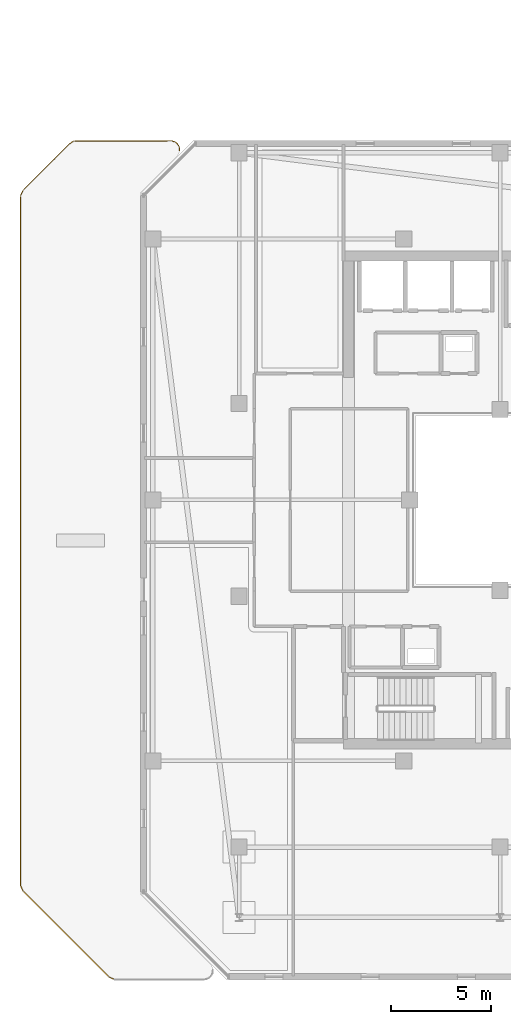
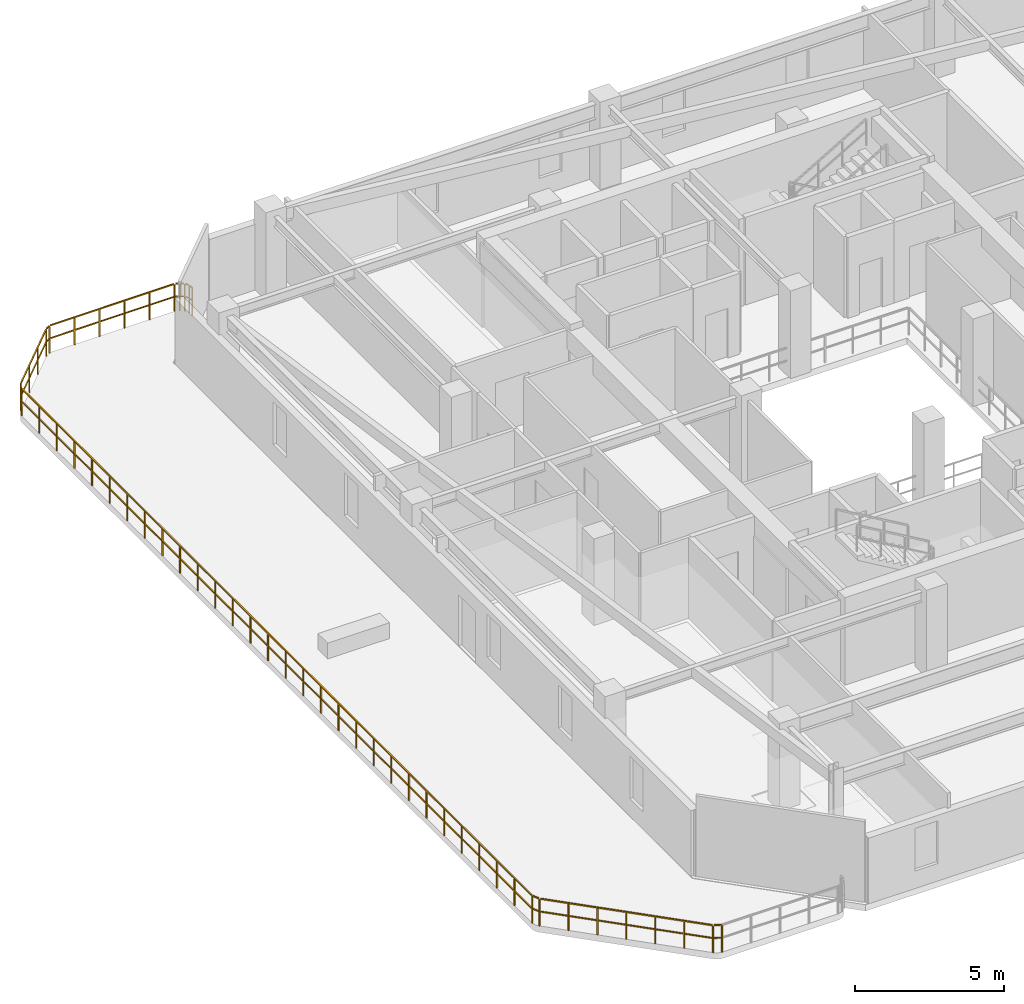
# One storey, part 28 of 31: 1 railing.
"""IFC4 building model written with IfcOpenShell, lengths in metres."""

from ifc_helpers import new_model, si_unit, direction, frame, origin, origin_2d, place, context, subcontext, project, spatial, rectangle, extrude, material, type_object, element, save


model = new_model("IFC4")

# Units and contexts
model_context = context("Model", 3, precision=1e-05, world=origin(), true_north=direction((0.0, 1.0)))
body_context = subcontext(model_context, "Body", "Model", "MODEL_VIEW")
ifc_project = project(units=[si_unit("LENGTHUNIT", "METRE"), si_unit("AREAUNIT", "SQUARE_METRE"), si_unit("VOLUMEUNIT", "CUBIC_METRE"), si_unit("PLANEANGLEUNIT", "RADIAN"), si_unit("MASSUNIT", "GRAM", prefix="KILO")], contexts=[model_context])

# Site, building, storey
site_placement = place(None, origin())
site = spatial("IfcSite", under=ifc_project, at=site_placement, CompositionType="ELEMENT")
building_placement = place(site_placement, origin())
building = spatial("IfcBuilding", under=site, at=building_placement, Name="Thornwick Lancets Civic Towers", CompositionType="ELEMENT")
storey_placement = place(building_placement, frame((0.0, 0.0, 254.699951171875)))
storey = spatial("IfcBuildingStorey", under=building, at=storey_placement, Name="L68", CompositionType="ELEMENT", Elevation=254.699951171875)

# Railing
ifc_material = material(Name="Terracotta-capped laminated glass balustrade S355", Category="masonry")
railing_type = type_object("IfcRailingType", Name="RAIL_TERR_GUARD", PredefinedType="GUARDRAIL", material=ifc_material)
railing_placement = place(storey_placement, frame((6.2802734375, 3.102294921875, 0.0)))
element("IfcRailing", 1, at=railing_placement, inside=storey, type_object=railing_type, Name="L68 Tower A Sky-Garden Guard 1 Part 1", PredefinedType="GUARDRAIL", context=body_context, shape_type="SweptSolid", body=[
    extrude(rectangle(XDim=0.048095703125, YDim=0.048095703125, at=origin_2d()), frame((0.0, 0.0, 1.1259765625), z_axis=(-0.904343633652, 0.426805098696, 0.0), x_axis=(-0.426805098696, -0.904343633652, 0.0)), (0.0, 0.0, 1.0), 0.27197265625),
    extrude(rectangle(XDim=0.0419921875, YDim=0.0419921875, at=origin_2d()), frame((-0.033935546875, 0.01611328125, 0.597900390625), z_axis=(-0.904343633652, 0.426805098696, 0.0), x_axis=(-0.426805098696, -0.904343633652, 0.0)), (0.0, 0.0, 1.0), 0.228271484375),
    extrude(rectangle(XDim=0.048095703125, YDim=0.048095703125, at=origin_2d()), frame((-0.29638671875, 0.151611328125, 1.1259765625), z_axis=(-0.707106781187, 0.707106781187, 0.0), x_axis=(-0.707106781187, -0.707106781187, 0.0)), (0.0, 0.0, 1.0), 5.982421875),
    extrude(rectangle(XDim=0.0419921875, YDim=0.0419921875, at=origin_2d()), frame((-0.30078125, 0.156005859375, 0.597900390625), z_axis=(-0.707106781187, 0.707106781187, 0.0), x_axis=(-0.707106781187, -0.707106781187, 0.0)), (0.0, 0.0, 1.0), 0.9326171875),
    extrude(rectangle(XDim=0.0419921875, YDim=0.0419921875, at=origin_2d()), frame((-1.01318359375, 0.868408203125, 0.597900390625), z_axis=(-0.707106781187, 0.707106781187, 0.0), x_axis=(-0.707106781187, -0.707106781187, 0.0)), (0.0, 0.0, 1.0), 0.9326171875),
    extrude(rectangle(XDim=0.0419921875, YDim=0.0419921875, at=origin_2d()), frame((-1.7255859375, 1.580810546875, 0.597900390625), z_axis=(-0.707106781187, 0.707106781187, 0.0), x_axis=(-0.707106781187, -0.707106781187, 0.0)), (0.0, 0.0, 1.0), 0.9326171875),
    extrude(rectangle(XDim=0.0419921875, YDim=0.0419921875, at=origin_2d()), frame((-2.43798828125, 2.293212890625, 0.597900390625), z_axis=(-0.707106781187, 0.707106781187, 0.0), x_axis=(-0.707106781187, -0.707106781187, 0.0)), (0.0, 0.0, 1.0), 0.9326171875),
    extrude(rectangle(XDim=0.0419921875, YDim=0.0419921875, at=origin_2d()), frame((-3.150390625, 3.005615234375, 0.597900390625), z_axis=(-0.707106781187, 0.707106781187, 0.0), x_axis=(-0.707106781187, -0.707106781187, 0.0)), (0.0, 0.0, 1.0), 0.9326171875),
    extrude(rectangle(XDim=0.0419921875, YDim=0.0419921875, at=origin_2d()), frame((-3.86279296875, 3.718017578125, 0.597900390625), z_axis=(-0.707106781187, 0.707106781187, 0.0), x_axis=(-0.707106781187, -0.707106781187, 0.0)), (0.0, 0.0, 1.0), 0.9326171875),
    extrude(rectangle(XDim=0.048095703125, YDim=0.048095703125, at=origin_2d()), frame((-4.56201171875, 4.43212890625, 1.1259765625), z_axis=(-0.426805098696, 0.904343633652, 0.0), x_axis=(-0.904343633652, -0.426805098696, 0.0)), (0.0, 0.0, 1.0), 0.24072265625),
    extrude(rectangle(XDim=0.0419921875, YDim=0.0419921875, at=origin_2d()), frame((-4.564697265625, 4.437744140625, 0.597900390625), z_axis=(-0.426805098696, 0.904343633652, 0.0), x_axis=(-0.904343633652, -0.426805098696, 0.0)), (0.0, 0.0, 1.0), 0.228271484375),
    extrude(rectangle(XDim=0.048095703125, YDim=0.048095703125, at=origin_2d()), frame((-4.677978515625, 4.709228515625, 1.1259765625), z_axis=(0.0, 1.0, 0.0), x_axis=(-1.0, 0.0, 0.0)), (0.0, 0.0, 1.0), 34.31494140625),
    extrude(rectangle(XDim=0.0419921875, YDim=0.0419921875, at=origin_2d()), frame((-4.677978515625, 4.715576171875, 0.597900390625), z_axis=(0.0, 1.0, 0.0), x_axis=(-1.0, 0.0, 0.0)), (0.0, 0.0, 1.0), 1.1103515625),
    extrude(rectangle(XDim=0.0419921875, YDim=0.0419921875, at=origin_2d()), frame((-4.677978515625, 5.90087890625, 0.597900390625), z_axis=(0.0, 1.0, 0.0), x_axis=(-1.0, 0.0, 0.0)), (0.0, 0.0, 1.0), 1.1103515625),
    extrude(rectangle(XDim=0.0419921875, YDim=0.0419921875, at=origin_2d()), frame((-4.677978515625, 7.08642578125, 0.597900390625), z_axis=(0.0, 1.0, 0.0), x_axis=(-1.0, 0.0, 0.0)), (0.0, 0.0, 1.0), 1.1103515625),
    extrude(rectangle(XDim=0.0419921875, YDim=0.0419921875, at=origin_2d()), frame((-4.677978515625, 8.271728515625, 0.597900390625), z_axis=(0.0, 1.0, 0.0), x_axis=(-1.0, 0.0, 0.0)), (0.0, 0.0, 1.0), 1.1103515625),
    extrude(rectangle(XDim=0.0419921875, YDim=0.0419921875, at=origin_2d()), frame((-4.677978515625, 9.457275390625, 0.597900390625), z_axis=(0.0, 1.0, 0.0), x_axis=(-1.0, 0.0, 0.0)), (0.0, 0.0, 1.0), 1.1103515625),
    extrude(rectangle(XDim=0.0419921875, YDim=0.0419921875, at=origin_2d()), frame((-4.677978515625, 10.642578125, 0.597900390625), z_axis=(0.0, 1.0, 0.0), x_axis=(-1.0, 0.0, 0.0)), (0.0, 0.0, 1.0), 1.1103515625),
    extrude(rectangle(XDim=0.0419921875, YDim=0.0419921875, at=origin_2d()), frame((-4.677978515625, 11.828125, 0.597900390625), z_axis=(0.0, 1.0, 0.0), x_axis=(-1.0, 0.0, 0.0)), (0.0, 0.0, 1.0), 1.1103515625),
    extrude(rectangle(XDim=0.0419921875, YDim=0.0419921875, at=origin_2d()), frame((-4.677978515625, 13.013427734375, 0.597900390625), z_axis=(0.0, 1.0, 0.0), x_axis=(-1.0, 0.0, 0.0)), (0.0, 0.0, 1.0), 1.1103515625),
    extrude(rectangle(XDim=0.0419921875, YDim=0.0419921875, at=origin_2d()), frame((-4.677978515625, 14.198974609375, 0.597900390625), z_axis=(0.0, 1.0, 0.0), x_axis=(-1.0, 0.0, 0.0)), (0.0, 0.0, 1.0), 1.1103515625),
    extrude(rectangle(XDim=0.0419921875, YDim=0.0419921875, at=origin_2d()), frame((-4.677978515625, 15.38427734375, 0.597900390625), z_axis=(0.0, 1.0, 0.0), x_axis=(-1.0, 0.0, 0.0)), (0.0, 0.0, 1.0), 1.1103515625),
    extrude(rectangle(XDim=0.0419921875, YDim=0.0419921875, at=origin_2d()), frame((-4.677978515625, 16.56982421875, 0.597900390625), z_axis=(0.0, 1.0, 0.0), x_axis=(-1.0, 0.0, 0.0)), (0.0, 0.0, 1.0), 1.1103515625),
    extrude(rectangle(XDim=0.0419921875, YDim=0.0419921875, at=origin_2d()), frame((-4.677978515625, 17.755126953125, 0.597900390625), z_axis=(0.0, 1.0, 0.0), x_axis=(-1.0, 0.0, 0.0)), (0.0, 0.0, 1.0), 1.1103515625),
    extrude(rectangle(XDim=0.0419921875, YDim=0.0419921875, at=origin_2d()), frame((-4.677978515625, 18.940673828125, 0.597900390625), z_axis=(0.0, 1.0, 0.0), x_axis=(-1.0, 0.0, 0.0)), (0.0, 0.0, 1.0), 1.1103515625),
    extrude(rectangle(XDim=0.0419921875, YDim=0.0419921875, at=origin_2d()), frame((-4.677978515625, 20.1259765625, 0.597900390625), z_axis=(0.0, 1.0, 0.0), x_axis=(-1.0, 0.0, 0.0)), (0.0, 0.0, 1.0), 1.1103515625),
    extrude(rectangle(XDim=0.0419921875, YDim=0.0419921875, at=origin_2d()), frame((-4.677978515625, 21.3115234375, 0.597900390625), z_axis=(0.0, 1.0, 0.0), x_axis=(-1.0, 0.0, 0.0)), (0.0, 0.0, 1.0), 1.1103515625),
    extrude(rectangle(XDim=0.0419921875, YDim=0.0419921875, at=origin_2d()), frame((-4.677978515625, 22.496826171875, 0.597900390625), z_axis=(0.0, 1.0, 0.0), x_axis=(-1.0, 0.0, 0.0)), (0.0, 0.0, 1.0), 1.1103515625),
    extrude(rectangle(XDim=0.0419921875, YDim=0.0419921875, at=origin_2d()), frame((-4.677978515625, 23.682373046875, 0.597900390625), z_axis=(0.0, 1.0, 0.0), x_axis=(-1.0, 0.0, 0.0)), (0.0, 0.0, 1.0), 1.1103515625),
    extrude(rectangle(XDim=0.0419921875, YDim=0.0419921875, at=origin_2d()), frame((-4.677978515625, 24.86767578125, 0.597900390625), z_axis=(0.0, 1.0, 0.0), x_axis=(-1.0, 0.0, 0.0)), (0.0, 0.0, 1.0), 1.1103515625),
    extrude(rectangle(XDim=0.0419921875, YDim=0.0419921875, at=origin_2d()), frame((-4.677978515625, 26.05322265625, 0.597900390625), z_axis=(0.0, 1.0, 0.0), x_axis=(-1.0, 0.0, 0.0)), (0.0, 0.0, 1.0), 1.1103515625),
    extrude(rectangle(XDim=0.0419921875, YDim=0.0419921875, at=origin_2d()), frame((-4.677978515625, 27.238525390625, 0.597900390625), z_axis=(0.0, 1.0, 0.0), x_axis=(-1.0, 0.0, 0.0)), (0.0, 0.0, 1.0), 1.1103515625),
    extrude(rectangle(XDim=0.0419921875, YDim=0.0419921875, at=origin_2d()), frame((-4.677978515625, 28.424072265625, 0.597900390625), z_axis=(0.0, 1.0, 0.0), x_axis=(-1.0, 0.0, 0.0)), (0.0, 0.0, 1.0), 1.1103515625),
    extrude(rectangle(XDim=0.0419921875, YDim=0.0419921875, at=origin_2d()), frame((-4.677978515625, 29.609375, 0.597900390625), z_axis=(0.0, 1.0, 0.0), x_axis=(-1.0, 0.0, 0.0)), (0.0, 0.0, 1.0), 1.1103515625),
    extrude(rectangle(XDim=0.0419921875, YDim=0.0419921875, at=origin_2d()), frame((-4.677978515625, 30.794921875, 0.597900390625), z_axis=(0.0, 1.0, 0.0), x_axis=(-1.0, 0.0, 0.0)), (0.0, 0.0, 1.0), 1.1103515625),
    extrude(rectangle(XDim=0.0419921875, YDim=0.0419921875, at=origin_2d()), frame((-4.677978515625, 31.980224609375, 0.597900390625), z_axis=(0.0, 1.0, 0.0), x_axis=(-1.0, 0.0, 0.0)), (0.0, 0.0, 1.0), 1.1103515625),
    extrude(rectangle(XDim=0.0419921875, YDim=0.0419921875, at=origin_2d()), frame((-4.677978515625, 33.165771484375, 0.597900390625), z_axis=(0.0, 1.0, 0.0), x_axis=(-1.0, 0.0, 0.0)), (0.0, 0.0, 1.0), 1.1103515625),
    extrude(rectangle(XDim=0.0419921875, YDim=0.0419921875, at=origin_2d()), frame((-4.677978515625, 34.351318359375, 0.597900390625), z_axis=(0.0, 1.0, 0.0), x_axis=(-1.0, 0.0, 0.0)), (0.0, 0.0, 1.0), 1.1103515625),
    extrude(rectangle(XDim=0.0419921875, YDim=0.0419921875, at=origin_2d()), frame((-4.677978515625, 35.53662109375, 0.597900390625), z_axis=(0.0, 1.0, 0.0), x_axis=(-1.0, 0.0, 0.0)), (0.0, 0.0, 1.0), 1.1103515625),
    extrude(rectangle(XDim=0.0419921875, YDim=0.0419921875, at=origin_2d()), frame((-4.677978515625, 36.72216796875, 0.597900390625), z_axis=(0.0, 1.0, 0.0), x_axis=(-1.0, 0.0, 0.0)), (0.0, 0.0, 1.0), 1.1103515625),
    extrude(rectangle(XDim=0.0419921875, YDim=0.0419921875, at=origin_2d()), frame((-4.677978515625, 37.907470703125, 0.597900390625), z_axis=(0.0, 1.0, 0.0), x_axis=(-1.0, 0.0, 0.0)), (0.0, 0.0, 1.0), 1.1103515625),
    extrude(rectangle(XDim=0.048095703125, YDim=0.048095703125, at=origin_2d()), frame((-4.66455078125, 39.083740234375, 1.1259765625), z_axis=(0.426805098696, 0.904343633652, 0.0), x_axis=(-0.904343633652, 0.426805098696, 0.0)), (0.0, 0.0, 1.0), 0.24072265625),
    extrude(rectangle(XDim=0.0419921875, YDim=0.0419921875, at=origin_2d()), frame((-4.661865234375, 39.08935546875, 0.597900390625), z_axis=(0.426805098696, 0.904343633652, 0.0), x_axis=(-0.904343633652, 0.426805098696, 0.0)), (0.0, 0.0, 1.0), 0.228271484375),
    extrude(rectangle(XDim=0.048095703125, YDim=0.048095703125, at=origin_2d()), frame((-4.5263671875, 39.351806640625, 1.1259765625), z_axis=(0.707106781187, 0.707106781187, 0.0), x_axis=(-0.707106781187, 0.707106781187, 0.0)), (0.0, 0.0, 1.0), 3.24169921875),
    extrude(rectangle(XDim=0.0419921875, YDim=0.0419921875, at=origin_2d()), frame((-4.52197265625, 39.356201171875, 0.597900390625), z_axis=(0.707106781187, 0.707106781187, 0.0), x_axis=(-0.707106781187, 0.707106781187, 0.0)), (0.0, 0.0, 1.0), 1.0263671875),
    extrude(rectangle(XDim=0.0419921875, YDim=0.0419921875, at=origin_2d()), frame((-3.7431640625, 40.135009765625, 0.597900390625), z_axis=(0.707106781187, 0.707106781187, 0.0), x_axis=(-0.707106781187, 0.707106781187, 0.0)), (0.0, 0.0, 1.0), 1.0263671875),
    extrude(rectangle(XDim=0.0419921875, YDim=0.0419921875, at=origin_2d()), frame((-2.96435546875, 40.913818359375, 0.597900390625), z_axis=(0.707106781187, 0.707106781187, 0.0), x_axis=(-0.707106781187, 0.707106781187, 0.0)), (0.0, 0.0, 1.0), 1.0263671875),
    extrude(rectangle(XDim=0.048095703125, YDim=0.048095703125, at=origin_2d()), frame((-2.185302734375, 41.68212890625, 1.1259765625), z_axis=(0.858181432178, 0.513346500392, 0.0), x_axis=(-0.513346500392, 0.858181432178, 0.0)), (0.0, 0.0, 1.0), 0.15625),
    extrude(rectangle(XDim=0.0419921875, YDim=0.0419921875, at=origin_2d()), frame((-2.179931640625, 41.685302734375, 0.597900390625), z_axis=(0.858181432178, 0.513346500392, 0.0), x_axis=(-0.513346500392, 0.858181432178, 0.0)), (0.0, 0.0, 1.0), 0.143798828125),
    extrude(rectangle(XDim=0.048095703125, YDim=0.048095703125, at=origin_2d()), frame((-1.9931640625, 41.7783203125, 1.1259765625), z_axis=(0.999993851715, 0.003506641099, 0.0), x_axis=(-0.003506641099, 0.999993851715, 0.0)), (0.0, 0.0, 1.0), 4.81103515625),
    extrude(rectangle(XDim=0.0419921875, YDim=0.0419921875, at=origin_2d()), frame((-1.98681640625, 41.778564453125, 0.597900390625), z_axis=(0.999993851715, 0.003506641099, 0.0), x_axis=(-0.003506641099, 0.999993851715, 0.0)), (0.0, 0.0, 1.0), 0.899658203125),
    extrude(rectangle(XDim=0.0419921875, YDim=0.0419921875, at=origin_2d()), frame((-1.01220703125, 41.781982421875, 0.597900390625), z_axis=(0.999993851715, 0.003506641099, 0.0), x_axis=(-0.003506641099, 0.999993851715, 0.0)), (0.0, 0.0, 1.0), 0.899658203125),
    extrude(rectangle(XDim=0.0419921875, YDim=0.0419921875, at=origin_2d()), frame((-0.03759765625, 41.785400390625, 0.597900390625), z_axis=(0.999993851715, 0.003506641099, 0.0), x_axis=(-0.003506641099, 0.999993851715, 0.0)), (0.0, 0.0, 1.0), 0.899658203125),
    extrude(rectangle(XDim=0.0419921875, YDim=0.0419921875, at=origin_2d()), frame((0.937255859375, 41.788818359375, 0.597900390625), z_axis=(0.999993851715, 0.003506641099, 0.0), x_axis=(-0.003506641099, 0.999993851715, 0.0)), (0.0, 0.0, 1.0), 0.899658203125),
    extrude(rectangle(XDim=0.0419921875, YDim=0.0419921875, at=origin_2d()), frame((1.911865234375, 41.792236328125, 0.597900390625), z_axis=(0.999993851715, 0.003506641099, 0.0), x_axis=(-0.003506641099, 0.999993851715, 0.0)), (0.0, 0.0, 1.0), 0.899658203125),
    extrude(rectangle(XDim=0.048095703125, YDim=0.048095703125, at=origin_2d()), frame((2.879150390625, 41.786376953125, 1.1259765625), z_axis=(0.957211427299, -0.289389501276, 0.0), x_axis=(0.289389501276, 0.957211427299, 0.0)), (0.0, 0.0, 1.0), 0.113037109375),
    extrude(rectangle(XDim=0.0419921875, YDim=0.0419921875, at=origin_2d()), frame((2.885009765625, 41.78466796875, 0.597900390625), z_axis=(0.957211427299, -0.289389501276, 0.0), x_axis=(0.289389501276, 0.957211427299, 0.0)), (0.0, 0.0, 1.0), 0.1005859375),
    extrude(rectangle(XDim=0.048095703125, YDim=0.048095703125, at=origin_2d()), frame((3.041259765625, 41.724853515625, 1.1259765625), z_axis=(0.773213238462, -0.634146109242, 0.0), x_axis=(0.634146109242, 0.773213238462, 0.0)), (0.0, 0.0, 1.0), 0.113037109375),
    extrude(rectangle(XDim=0.0419921875, YDim=0.0419921875, at=origin_2d()), frame((3.046142578125, 41.720947265625, 0.597900390625), z_axis=(0.773213238462, -0.634146109242, 0.0), x_axis=(0.634146109242, 0.773213238462, 0.0)), (0.0, 0.0, 1.0), 0.1005859375),
    extrude(rectangle(XDim=0.048095703125, YDim=0.048095703125, at=origin_2d()), frame((3.16748046875, 41.605712890625, 1.1259765625), z_axis=(0.470948722639, -0.882160586654, 0.0), x_axis=(0.882160586654, 0.470948722639, 0.0)), (0.0, 0.0, 1.0), 0.11328125),
    extrude(rectangle(XDim=0.0419921875, YDim=0.0419921875, at=origin_2d()), frame((3.17041015625, 41.600341796875, 0.597900390625), z_axis=(0.470948722639, -0.882160586654, 0.0), x_axis=(0.882160586654, 0.470948722639, 0.0)), (0.0, 0.0, 1.0), 0.100830078125),
    extrude(rectangle(XDim=0.048095703125, YDim=0.048095703125, at=origin_2d()), frame((3.238525390625, 41.447265625, 1.1259765625), z_axis=(0.094101126617, -0.99556264392, 0.0), x_axis=(0.99556264392, 0.094101126617, 0.0)), (0.0, 0.0, 1.0), 0.147705078125),
    extrude(rectangle(XDim=0.0419921875, YDim=0.0419921875, at=origin_2d()), frame((3.239013671875, 41.44091796875, 0.597900390625), z_axis=(0.094101126617, -0.99556264392, 0.0), x_axis=(0.99556264392, 0.094101126617, 0.0)), (0.0, 0.0, 1.0), 0.10400390625),
    extrude(rectangle(XDim=0.0419921875, YDim=0.0419921875, at=origin_2d()), origin(), (0.0, 0.0, 1.0), 1.095703125),
    extrude(rectangle(XDim=0.0419921875, YDim=0.0419921875, at=origin_2d()), frame((-0.274169921875, 0.12939453125, 0.0)), (0.0, 0.0, 1.0), 1.095703125),
    extrude(rectangle(XDim=0.0419921875, YDim=0.0419921875, at=origin_2d()), frame((-0.986572265625, 0.841796875, 0.0)), (0.0, 0.0, 1.0), 1.095703125),
    extrude(rectangle(XDim=0.0419921875, YDim=0.0419921875, at=origin_2d()), frame((-1.698974609375, 1.55419921875, 0.0)), (0.0, 0.0, 1.0), 1.095703125),
    extrude(rectangle(XDim=0.0419921875, YDim=0.0419921875, at=origin_2d()), frame((-2.411376953125, 2.2666015625, 0.0)), (0.0, 0.0, 1.0), 1.095703125),
    extrude(rectangle(XDim=0.0419921875, YDim=0.0419921875, at=origin_2d()), frame((-3.123779296875, 2.97900390625, 0.0)), (0.0, 0.0, 1.0), 1.095703125),
    extrude(rectangle(XDim=0.0419921875, YDim=0.0419921875, at=origin_2d()), frame((-3.836181640625, 3.69140625, 0.0)), (0.0, 0.0, 1.0), 1.095703125),
    extrude(rectangle(XDim=0.0419921875, YDim=0.0419921875, at=origin_2d()), frame((-4.548583984375, 4.40380859375, 0.0)), (0.0, 0.0, 1.0), 1.095703125),
    extrude(rectangle(XDim=0.0419921875, YDim=0.0419921875, at=origin_2d()), frame((-4.677978515625, 4.677978515625, 0.0)), (0.0, 0.0, 1.0), 1.095703125),
    extrude(rectangle(XDim=0.0419921875, YDim=0.0419921875, at=origin_2d()), frame((-4.677978515625, 5.863525390625, 0.0)), (0.0, 0.0, 1.0), 1.095703125),
    extrude(rectangle(XDim=0.0419921875, YDim=0.0419921875, at=origin_2d()), frame((-4.677978515625, 7.048828125, 0.0)), (0.0, 0.0, 1.0), 1.095703125),
    extrude(rectangle(XDim=0.0419921875, YDim=0.0419921875, at=origin_2d()), frame((-4.677978515625, 8.234375, 0.0)), (0.0, 0.0, 1.0), 1.095703125),
    extrude(rectangle(XDim=0.0419921875, YDim=0.0419921875, at=origin_2d()), frame((-4.677978515625, 9.419677734375, 0.0)), (0.0, 0.0, 1.0), 1.095703125),
    extrude(rectangle(XDim=0.0419921875, YDim=0.0419921875, at=origin_2d()), frame((-4.677978515625, 10.605224609375, 0.0)), (0.0, 0.0, 1.0), 1.095703125),
    extrude(rectangle(XDim=0.0419921875, YDim=0.0419921875, at=origin_2d()), frame((-4.677978515625, 11.79052734375, 0.0)), (0.0, 0.0, 1.0), 1.095703125),
    extrude(rectangle(XDim=0.0419921875, YDim=0.0419921875, at=origin_2d()), frame((-4.677978515625, 12.97607421875, 0.0)), (0.0, 0.0, 1.0), 1.095703125),
    extrude(rectangle(XDim=0.0419921875, YDim=0.0419921875, at=origin_2d()), frame((-4.677978515625, 14.161376953125, 0.0)), (0.0, 0.0, 1.0), 1.095703125),
    extrude(rectangle(XDim=0.0419921875, YDim=0.0419921875, at=origin_2d()), frame((-4.677978515625, 15.346923828125, 0.0)), (0.0, 0.0, 1.0), 1.095703125),
    extrude(rectangle(XDim=0.0419921875, YDim=0.0419921875, at=origin_2d()), frame((-4.677978515625, 16.5322265625, 0.0)), (0.0, 0.0, 1.0), 1.095703125),
    extrude(rectangle(XDim=0.0419921875, YDim=0.0419921875, at=origin_2d()), frame((-4.677978515625, 17.7177734375, 0.0)), (0.0, 0.0, 1.0), 1.095703125),
    extrude(rectangle(XDim=0.0419921875, YDim=0.0419921875, at=origin_2d()), frame((-4.677978515625, 18.903076171875, 0.0)), (0.0, 0.0, 1.0), 1.095703125),
    extrude(rectangle(XDim=0.0419921875, YDim=0.0419921875, at=origin_2d()), frame((-4.677978515625, 20.088623046875, 0.0)), (0.0, 0.0, 1.0), 1.095703125),
    extrude(rectangle(XDim=0.0419921875, YDim=0.0419921875, at=origin_2d()), frame((-4.677978515625, 21.27392578125, 0.0)), (0.0, 0.0, 1.0), 1.095703125),
    extrude(rectangle(XDim=0.0419921875, YDim=0.0419921875, at=origin_2d()), frame((-4.677978515625, 22.45947265625, 0.0)), (0.0, 0.0, 1.0), 1.095703125),
    extrude(rectangle(XDim=0.0419921875, YDim=0.0419921875, at=origin_2d()), frame((-4.677978515625, 23.644775390625, 0.0)), (0.0, 0.0, 1.0), 1.095703125),
    extrude(rectangle(XDim=0.0419921875, YDim=0.0419921875, at=origin_2d()), frame((-4.677978515625, 24.830322265625, 0.0)), (0.0, 0.0, 1.0), 1.095703125),
    extrude(rectangle(XDim=0.0419921875, YDim=0.0419921875, at=origin_2d()), frame((-4.677978515625, 26.015625, 0.0)), (0.0, 0.0, 1.0), 1.095703125),
    extrude(rectangle(XDim=0.0419921875, YDim=0.0419921875, at=origin_2d()), frame((-4.677978515625, 27.201171875, 0.0)), (0.0, 0.0, 1.0), 1.095703125),
    extrude(rectangle(XDim=0.0419921875, YDim=0.0419921875, at=origin_2d()), frame((-4.677978515625, 28.386474609375, 0.0)), (0.0, 0.0, 1.0), 1.095703125),
    extrude(rectangle(XDim=0.0419921875, YDim=0.0419921875, at=origin_2d()), frame((-4.677978515625, 29.572021484375, 0.0)), (0.0, 0.0, 1.0), 1.095703125),
    extrude(rectangle(XDim=0.0419921875, YDim=0.0419921875, at=origin_2d()), frame((-4.677978515625, 30.75732421875, 0.0)), (0.0, 0.0, 1.0), 1.095703125),
    extrude(rectangle(XDim=0.0419921875, YDim=0.0419921875, at=origin_2d()), frame((-4.677978515625, 31.94287109375, 0.0)), (0.0, 0.0, 1.0), 1.095703125),
    extrude(rectangle(XDim=0.0419921875, YDim=0.0419921875, at=origin_2d()), frame((-4.677978515625, 33.128173828125, 0.0)), (0.0, 0.0, 1.0), 1.095703125),
    extrude(rectangle(XDim=0.0419921875, YDim=0.0419921875, at=origin_2d()), frame((-4.677978515625, 34.313720703125, 0.0)), (0.0, 0.0, 1.0), 1.095703125),
    extrude(rectangle(XDim=0.0419921875, YDim=0.0419921875, at=origin_2d()), frame((-4.677978515625, 35.4990234375, 0.0)), (0.0, 0.0, 1.0), 1.095703125),
    extrude(rectangle(XDim=0.0419921875, YDim=0.0419921875, at=origin_2d()), frame((-4.677978515625, 36.6845703125, 0.0)), (0.0, 0.0, 1.0), 1.095703125),
    extrude(rectangle(XDim=0.0419921875, YDim=0.0419921875, at=origin_2d()), frame((-4.677978515625, 37.869873046875, 0.0)), (0.0, 0.0, 1.0), 1.095703125),
    extrude(rectangle(XDim=0.0419921875, YDim=0.0419921875, at=origin_2d()), frame((-4.677978515625, 39.055419921875, 0.0)), (0.0, 0.0, 1.0), 1.095703125),
    extrude(rectangle(XDim=0.0419921875, YDim=0.0419921875, at=origin_2d()), frame((-4.548583984375, 39.32958984375, 0.0)), (0.0, 0.0, 1.0), 1.095703125),
    extrude(rectangle(XDim=0.0419921875, YDim=0.0419921875, at=origin_2d()), frame((-3.769775390625, 40.1083984375, 0.0)), (0.0, 0.0, 1.0), 1.095703125),
    extrude(rectangle(XDim=0.0419921875, YDim=0.0419921875, at=origin_2d()), frame((-2.990966796875, 40.88720703125, 0.0)), (0.0, 0.0, 1.0), 1.095703125),
    extrude(rectangle(XDim=0.0419921875, YDim=0.0419921875, at=origin_2d()), frame((-2.212158203125, 41.666015625, 0.0)), (0.0, 0.0, 1.0), 1.095703125),
    extrude(rectangle(XDim=0.0419921875, YDim=0.0419921875, at=origin_2d()), frame((-2.0244140625, 41.7783203125, 0.0)), (0.0, 0.0, 1.0), 1.095703125),
    extrude(rectangle(XDim=0.0419921875, YDim=0.0419921875, at=origin_2d()), frame((-1.0498046875, 41.78173828125, 0.0)), (0.0, 0.0, 1.0), 1.095703125),
    extrude(rectangle(XDim=0.0419921875, YDim=0.0419921875, at=origin_2d()), frame((-0.074951171875, 41.78515625, 0.0)), (0.0, 0.0, 1.0), 1.095703125),
    extrude(rectangle(XDim=0.0419921875, YDim=0.0419921875, at=origin_2d()), frame((0.899658203125, 41.78857421875, 0.0)), (0.0, 0.0, 1.0), 1.095703125),
    extrude(rectangle(XDim=0.0419921875, YDim=0.0419921875, at=origin_2d()), frame((1.87451171875, 41.7919921875, 0.0)), (0.0, 0.0, 1.0), 1.095703125),
    extrude(rectangle(XDim=0.0419921875, YDim=0.0419921875, at=origin_2d()), frame((2.84912109375, 41.79541015625, 0.0)), (0.0, 0.0, 1.0), 1.095703125),
    extrude(rectangle(XDim=0.0419921875, YDim=0.0419921875, at=origin_2d()), frame((3.01708984375, 41.74462890625, 0.0)), (0.0, 0.0, 1.0), 1.095703125),
    extrude(rectangle(XDim=0.0419921875, YDim=0.0419921875, at=origin_2d()), frame((3.15283203125, 41.63330078125, 0.0)), (0.0, 0.0, 1.0), 1.095703125),
    extrude(rectangle(XDim=0.0419921875, YDim=0.0419921875, at=origin_2d()), frame((3.235595703125, 41.478271484375, 0.0)), (0.0, 0.0, 1.0), 1.095703125),
    extrude(rectangle(XDim=0.0419921875, YDim=0.0419921875, at=origin_2d()), frame((3.25244140625, 41.300048828125, 0.0)), (0.0, 0.0, 1.0), 1.095703125),
])

save(model, "model.ifc")
